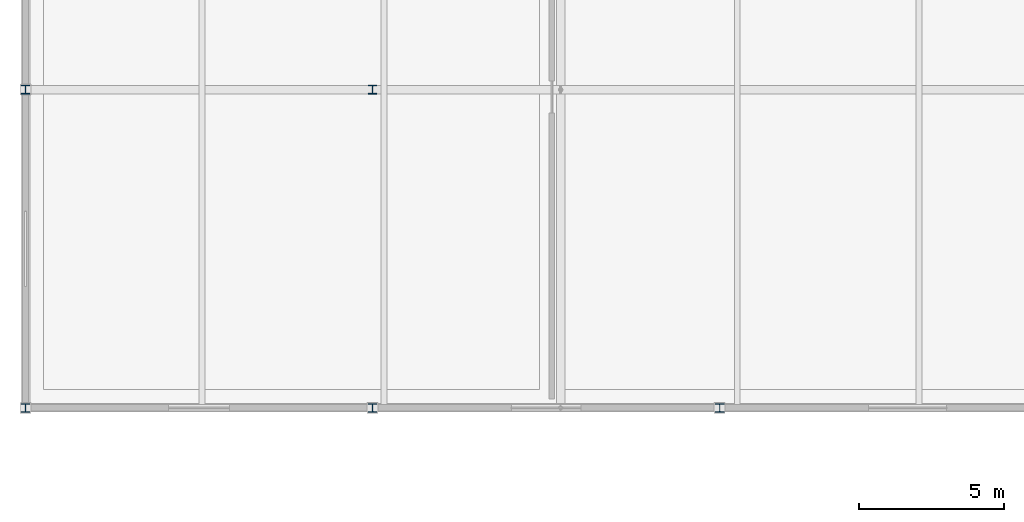
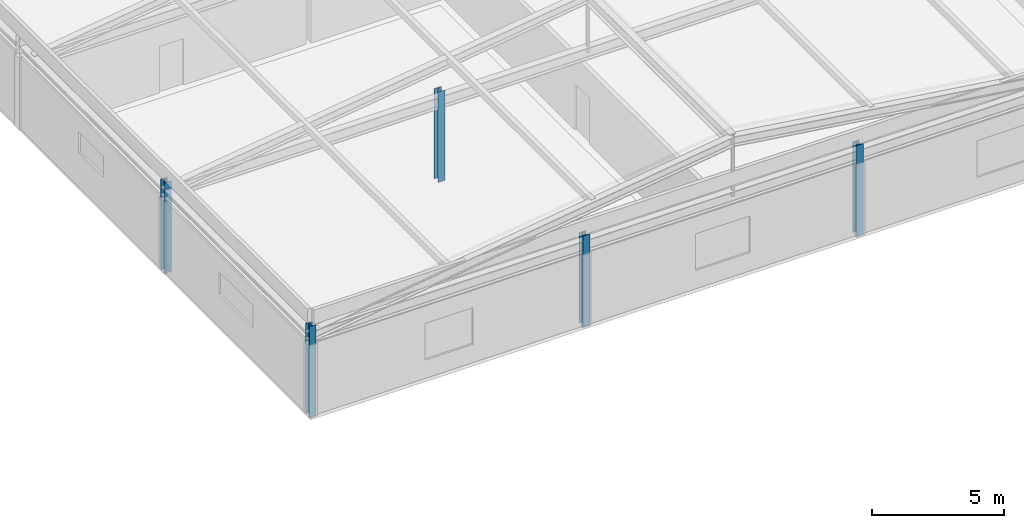
# One storey, part 2 of 63: 5 columns.
"""IFC4 building model written with IfcOpenShell, lengths in metres."""

import ifcopenshell
import ifcopenshell.guid

model = None  # the IFC model being written
_history = None  # IfcOwnerHistory: only IFC2X3 demands one
_inside = {}  # id of a spatial element -> (the spatial element, [elements in it])
_under = {}  # id of a project, library or spatial element -> (it, [spatial elements below it])
_declared = {}  # id of a project -> (the project, [libraries it declares])
_typed = {}  # id of a type object -> (the type object, [elements of that type])
_made_of = {}  # id of a material, layer set ... -> (it, [elements and type objects made of it])


def new_model(schema):
    """Start an empty IFC model of exactly this schema.

    Asked for "IFC4X3", IfcOpenShell would pick the latest addendum, in which some entities
    have other attributes; the version numbers below select the first issue.
    IFC2X3 requires an IfcOwnerHistory on every rooted entity: one is made here for all.
    """
    global model, _history
    if schema == "IFC4X3":
        model = ifcopenshell.file(schema_version=(4, 3, 0, 0))
    else:
        model = ifcopenshell.file(schema=schema)
    _inside.clear()
    _under.clear()
    _declared.clear()
    _typed.clear()
    _made_of.clear()
    _history = None
    if model.schema == "IFC2X3":
        org = make("IfcOrganization", Name="unknown")
        user = make(
            "IfcPersonAndOrganization",
            ThePerson=make("IfcPerson", FamilyName="unknown"),
            TheOrganization=org,
        )
        app = make(
            "IfcApplication",
            ApplicationDeveloper=org,
            Version="unknown",
            ApplicationFullName="unknown",
            ApplicationIdentifier="unknown",
        )
        _history = make(
            "IfcOwnerHistory",
            OwningUser=user,
            OwningApplication=app,
            ChangeAction="ADDED",
            CreationDate=0,
        )
    return model


def make(cls, **values):
    """One entity of the class cls with the attributes given. An attribute that is None is left unset."""
    return model.create_entity(
        cls, **{name: value for name, value in values.items() if value is not None}
    )


def rooted(cls, **values):
    """An entity with a GlobalId (a new one), such as an element, a storey or a relation."""
    return make(cls, GlobalId=ifcopenshell.guid.new(), OwnerHistory=_history, **values)


def si_unit(unit_type, name, prefix=None):
    """IfcSIUnit, for example si_unit("LENGTHUNIT", "METRE", prefix="MILLI")."""
    return make("IfcSIUnit", UnitType=unit_type, Prefix=prefix, Name=name)


def assignment(units):
    """IfcUnitAssignment: the units of a project."""
    return None if units is None else make("IfcUnitAssignment", Units=units)


def point(xyz):
    """IfcCartesianPoint."""
    return None if xyz is None else make("IfcCartesianPoint", Coordinates=xyz)


def direction(xyz):
    """IfcDirection."""
    return None if xyz is None else make("IfcDirection", DirectionRatios=xyz)


def frame(location, z_axis=None, x_axis=None):
    """IfcAxis2Placement3D, a coordinate frame: its origin and axes. An axis left out is left unset."""
    return make(
        "IfcAxis2Placement3D",
        Location=point(location),
        Axis=direction(z_axis),
        RefDirection=direction(x_axis),
    )


def frame_2d(location, x_axis=None):
    """IfcAxis2Placement2D, a coordinate frame in the plane: its origin and x axis."""
    return make(
        "IfcAxis2Placement2D", Location=point(location), RefDirection=direction(x_axis)
    )


def origin():
    """The frame at (0, 0, 0) with its axes left unset."""
    return frame((0.0, 0.0, 0.0))


def origin_2d():
    """The frame at (0, 0) in the plane with its x axis left unset."""
    return frame_2d((0.0, 0.0))


def place(relative_to, where):
    """IfcLocalPlacement: puts the frame where relative to a parent placement (None: the world)."""
    return make(
        "IfcLocalPlacement", PlacementRelTo=relative_to, RelativePlacement=where
    )


def context(
    kind, dimensions, precision=None, world=None, true_north=None, identifier=None
):
    """IfcGeometricRepresentationContext, for example the 3D "Model" context."""
    return make(
        "IfcGeometricRepresentationContext",
        ContextIdentifier=identifier,
        ContextType=kind,
        CoordinateSpaceDimension=dimensions,
        Precision=precision,
        WorldCoordinateSystem=world,
        TrueNorth=true_north,
    )


def subcontext(parent, identifier, kind, view, scale=None):
    """IfcGeometricRepresentationSubContext, for example "Body" below "Model"."""
    return make(
        "IfcGeometricRepresentationSubContext",
        ContextIdentifier=identifier,
        ContextType=kind,
        ParentContext=parent,
        TargetScale=scale,
        TargetView=view,
    )


def project(units=None, contexts=None):
    """IfcProject with its units and contexts."""
    return rooted(
        "IfcProject",
        Name="project",
        RepresentationContexts=contexts,
        UnitsInContext=assignment(units),
    )


def spatial(cls, under=None, at=None, **own):
    """A site, building, storey or space (cls), placed at a placement, below another one or the project."""
    s = rooted(cls, ObjectPlacement=at, **own)
    if under is not None:
        _under.setdefault(under.id(), (under, []))[1].append(s)
    return s


def profile(cls, at=None, kind="AREA", **sizes):
    """A parametric profile (cls). Its sizes go by their IFC names, for example OverallWidth=200.0."""
    return make(cls, ProfileType=kind, Position=at, **sizes)


def i_section(**sizes):
    """IfcIShapeProfileDef."""
    return profile("IfcIShapeProfileDef", **sizes)


def extrude(swept, where, along, depth):
    """IfcExtrudedAreaSolid: the profile swept, set in the frame where, extruded along a direction by depth."""
    return make(
        "IfcExtrudedAreaSolid",
        SweptArea=swept,
        Position=where,
        ExtrudedDirection=direction(along),
        Depth=depth,
    )


def shape(context_of_items, identifier, shape_type, items):
    """IfcShapeRepresentation: the items that make up one representation, for example the "Body"."""
    return make(
        "IfcShapeRepresentation",
        ContextOfItems=context_of_items,
        RepresentationIdentifier=identifier,
        RepresentationType=shape_type,
        Items=items,
    )


def material(Name=None, Category=None):
    """IfcMaterial."""
    return make("IfcMaterial", Name=Name, Category=Category)


def material_profile(
    of_material, cross_section, Name=None, Category=None, Priority=None
):
    """IfcMaterialProfile: a cross section and its material."""
    return make(
        "IfcMaterialProfile",
        Name=Name,
        Material=of_material,
        Profile=cross_section,
        Priority=Priority,
        Category=Category,
    )


def profile_set(profiles, Name=None, composite=None):
    """IfcMaterialProfileSet."""
    return make(
        "IfcMaterialProfileSet",
        Name=Name,
        MaterialProfiles=profiles,
        CompositeProfile=composite,
    )


def made_of(thing, what):
    """Note that an element or type object is made of a material, layer set ...; save() writes the relation."""
    if what is not None:
        _made_of.setdefault(what.id(), (what, []))[1].append(thing)
    return thing


def type_object(cls, material=None, **own):
    """A type object (cls), such as IfcWallType, which elements share."""
    return made_of(rooted(cls, **own), material)


def element(
    cls,
    number,
    at=None,
    inside=None,
    cuts=None,
    type_object=None,
    material=None,
    context=None,
    identifier="Body",
    shape_type=None,
    held_by="IfcProductDefinitionShape",
    body=None,
    shapes=None,
    **own,
):
    """One element of the class cls, such as IfcWall. Its Tag is "e" and its number.

    at: its placement. inside: the storey or other place that contains it. cuts: it is an
    opening in that element (IfcRelVoidsElement). A single representation is given by context,
    identifier, shape_type and body (its items); several are given by shapes. held_by: the class
    of the entity that holds the representations. save() writes the other relations.
    """
    e = rooted(cls, Tag="e%d" % number, ObjectPlacement=at, **own)
    if body is not None:
        shapes = [shape(context, identifier, shape_type, body)]
    if shapes is not None:
        e.Representation = make(held_by, Representations=shapes)
    if inside is not None:
        _inside.setdefault(inside.id(), (inside, []))[1].append(e)
    if cuts is not None:
        rooted(
            "IfcRelVoidsElement", RelatingBuildingElement=cuts, RelatedOpeningElement=e
        )
    if type_object is not None:
        _typed.setdefault(type_object.id(), (type_object, []))[1].append(e)
    return made_of(e, material)


def aggregate(whole, parts):
    """IfcRelAggregates: a whole, such as a stair, and the parts it consists of."""
    return rooted("IfcRelAggregates", RelatingObject=whole, RelatedObjects=parts)


def save(model, path):
    """Write the relations noted so far, then the file.

    IfcRelAggregates (storeys below a building ...), IfcRelContainedInSpatialStructure (elements
    in a storey), IfcRelDefinesByType, IfcRelAssociatesMaterial and IfcRelDeclares: one each for
    every whole, place, type object, material and project.
    """
    for whole, parts in _under.values():
        aggregate(whole, parts)
    for where, things in _inside.values():
        rooted(
            "IfcRelContainedInSpatialStructure",
            RelatedElements=things,
            RelatingStructure=where,
        )
    for kind, things in _typed.values():
        rooted("IfcRelDefinesByType", RelatedObjects=things, RelatingType=kind)
    for what, things in _made_of.values():
        rooted("IfcRelAssociatesMaterial", RelatedObjects=things, RelatingMaterial=what)
    for by, libraries in _declared.values():
        rooted("IfcRelDeclares", RelatingContext=by, RelatedDefinitions=libraries)
    model.write(path)


model = new_model("IFC4")

# Units and contexts
model_context = context("Model", 3, precision=1e-05, world=origin(), true_north=direction((0.0, 1.0)))
body_context = subcontext(model_context, "Body", "Model", "MODEL_VIEW")
ifc_project = project(units=[si_unit("LENGTHUNIT", "METRE"), si_unit("AREAUNIT", "SQUARE_METRE"), si_unit("VOLUMEUNIT", "CUBIC_METRE"), si_unit("PLANEANGLEUNIT", "RADIAN"), si_unit("MASSUNIT", "GRAM", prefix="KILO")], contexts=[model_context])

# Site, building, storey
site_placement = place(None, origin())
site = spatial("IfcSite", under=ifc_project, at=site_placement, CompositionType="ELEMENT")
building_placement = place(site_placement, origin())
building = spatial("IfcBuilding", under=site, at=building_placement, Name="Tarnveldt Headland Concert Hall", CompositionType="ELEMENT")
storey_placement = place(building_placement, frame((0.0, 0.0, 14.39990234375)))
storey = spatial("IfcBuildingStorey", under=building, at=storey_placement, Name="L03", CompositionType="ELEMENT", Elevation=14.39990234375)

# Columns
ifc_material = material(Name="Steel S355", Category="steel")
ifc_material_profile = material_profile(ifc_material, i_section(OverallWidth=0.300048828125, OverallDepth=0.300048828125, WebThickness=0.010986328125, FlangeThickness=0.01904296875, FilletRadius=0.027099609375, at=origin_2d()), Name="HEB300", Category="steel")
ifc_profile_set = profile_set([ifc_material_profile], Name="Steel S355")
column_type = type_object("IfcColumnType", Name="SC-HEB300", PredefinedType="COLUMN", material=ifc_profile_set)
for number, where, z_axis, x_axis, name in (
    (1, (7.5, 60.0, 0.0), (0.0, 0.0, 1.0), (1.0, 0.0, 0.0), "Column V5C01 L03"),
    (2, (7.5, 71.0, 0.0), (0.0, 0.0, 1.0), (1.0, 0.0, 0.0), "Column V5C02 L03"),
    (3, (19.5, 60.0, 0.0), (0.0, 0.0, 1.0), (1.0, 0.0, 0.0), "Column V5C05 L03"),
    (4, (19.5, 71.0, 0.0), (0.0, 0.0, 1.0), (1.0, 0.0, 0.0), "Column V5C06 L03"),
    (5, (31.5, 60.0, 0.0), (0.0, 0.0, 1.0), (1.0, 0.0, 0.0), "Column V5C11 L03"),
):
    element("IfcColumn", number, at=place(storey_placement, frame(where, z_axis=z_axis, x_axis=x_axis)), inside=storey, type_object=column_type, Name=name, PredefinedType="COLUMN", context=body_context, shape_type="SweptSolid", body=[
        extrude(i_section(OverallWidth=0.300048828125, OverallDepth=0.300048828125, WebThickness=0.010986328125, FlangeThickness=0.01904296875, FilletRadius=0.027099609375, at=origin_2d()), origin(), (0.0, 0.0, 1.0), 4.2001953125),
    ])

save(model, "model.ifc")
